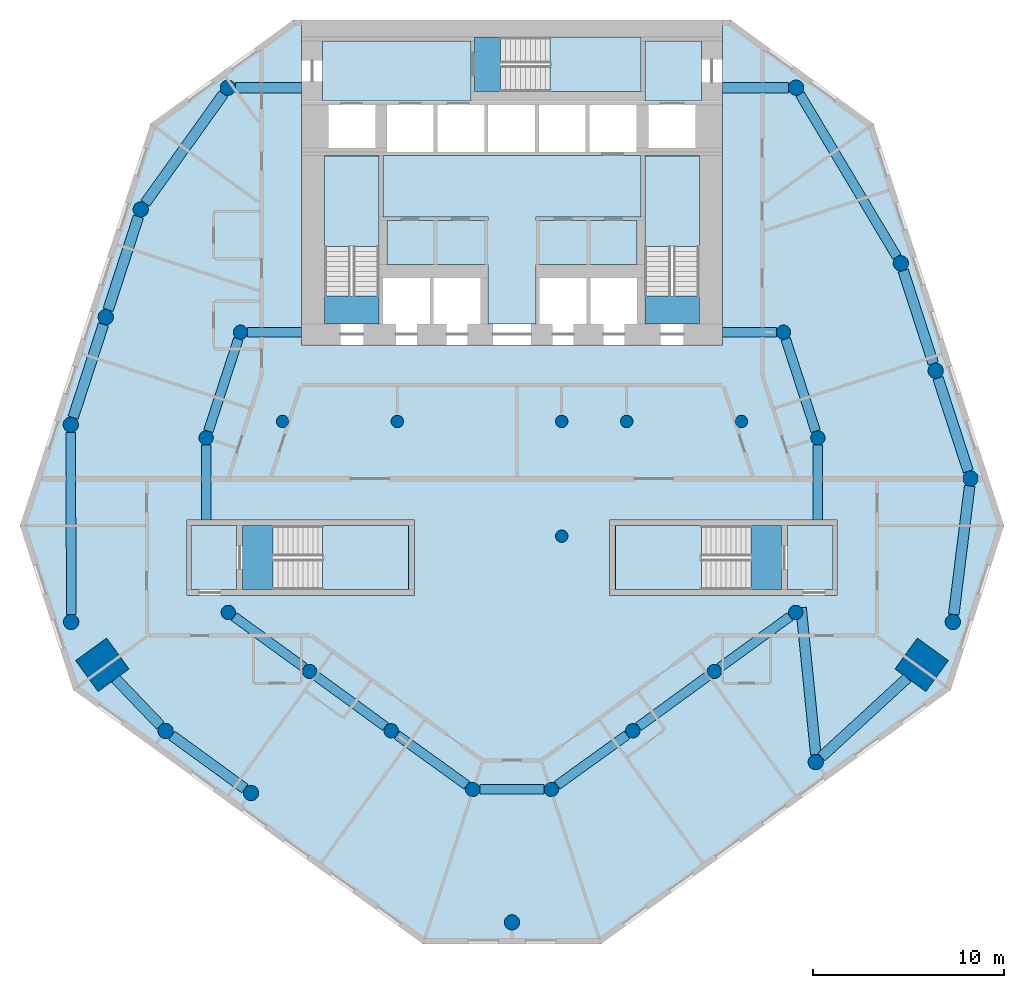
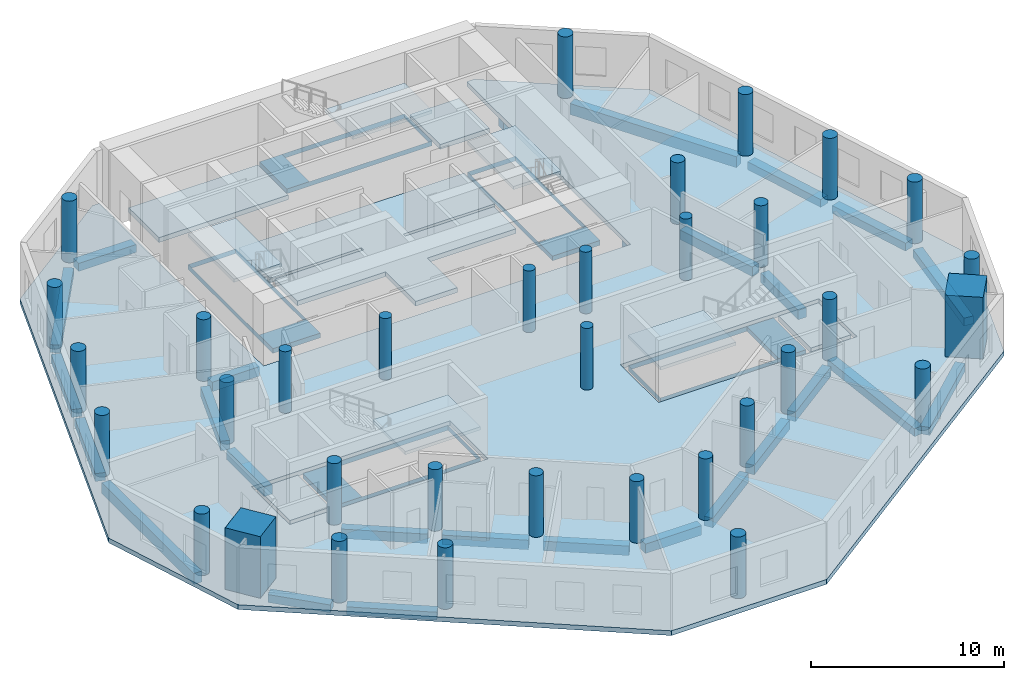
# One storey, part 1 of 9: 34 columns, 27 beams, 16 slabs, 5 elements without a shape of their own.
"""IFC4 building model written with IfcOpenShell, lengths in metres."""

import ifcopenshell
import ifcopenshell.guid

model = None  # the IFC model being written
_history = None  # IfcOwnerHistory: only IFC2X3 demands one
_inside = {}  # id of a spatial element -> (the spatial element, [elements in it])
_under = {}  # id of a project, library or spatial element -> (it, [spatial elements below it])
_declared = {}  # id of a project -> (the project, [libraries it declares])
_typed = {}  # id of a type object -> (the type object, [elements of that type])
_made_of = {}  # id of a material, layer set ... -> (it, [elements and type objects made of it])


def new_model(schema):
    """Start an empty IFC model of exactly this schema.

    Asked for "IFC4X3", IfcOpenShell would pick the latest addendum, in which some entities
    have other attributes; the version numbers below select the first issue.
    IFC2X3 requires an IfcOwnerHistory on every rooted entity: one is made here for all.
    """
    global model, _history
    if schema == "IFC4X3":
        model = ifcopenshell.file(schema_version=(4, 3, 0, 0))
    else:
        model = ifcopenshell.file(schema=schema)
    _inside.clear()
    _under.clear()
    _declared.clear()
    _typed.clear()
    _made_of.clear()
    _history = None
    if model.schema == "IFC2X3":
        org = make("IfcOrganization", Name="unknown")
        user = make(
            "IfcPersonAndOrganization",
            ThePerson=make("IfcPerson", FamilyName="unknown"),
            TheOrganization=org,
        )
        app = make(
            "IfcApplication",
            ApplicationDeveloper=org,
            Version="unknown",
            ApplicationFullName="unknown",
            ApplicationIdentifier="unknown",
        )
        _history = make(
            "IfcOwnerHistory",
            OwningUser=user,
            OwningApplication=app,
            ChangeAction="ADDED",
            CreationDate=0,
        )
    return model


def make(cls, **values):
    """One entity of the class cls with the attributes given. An attribute that is None is left unset."""
    return model.create_entity(
        cls, **{name: value for name, value in values.items() if value is not None}
    )


def rooted(cls, **values):
    """An entity with a GlobalId (a new one), such as an element, a storey or a relation."""
    return make(cls, GlobalId=ifcopenshell.guid.new(), OwnerHistory=_history, **values)


def si_unit(unit_type, name, prefix=None):
    """IfcSIUnit, for example si_unit("LENGTHUNIT", "METRE", prefix="MILLI")."""
    return make("IfcSIUnit", UnitType=unit_type, Prefix=prefix, Name=name)


def assignment(units):
    """IfcUnitAssignment: the units of a project."""
    return None if units is None else make("IfcUnitAssignment", Units=units)


def point(xyz):
    """IfcCartesianPoint."""
    return None if xyz is None else make("IfcCartesianPoint", Coordinates=xyz)


def direction(xyz):
    """IfcDirection."""
    return None if xyz is None else make("IfcDirection", DirectionRatios=xyz)


def frame(location, z_axis=None, x_axis=None):
    """IfcAxis2Placement3D, a coordinate frame: its origin and axes. An axis left out is left unset."""
    return make(
        "IfcAxis2Placement3D",
        Location=point(location),
        Axis=direction(z_axis),
        RefDirection=direction(x_axis),
    )


def frame_2d(location, x_axis=None):
    """IfcAxis2Placement2D, a coordinate frame in the plane: its origin and x axis."""
    return make(
        "IfcAxis2Placement2D", Location=point(location), RefDirection=direction(x_axis)
    )


def origin():
    """The frame at (0, 0, 0) with its axes left unset."""
    return frame((0.0, 0.0, 0.0))


def origin_2d():
    """The frame at (0, 0) in the plane with its x axis left unset."""
    return frame_2d((0.0, 0.0))


def place(relative_to, where):
    """IfcLocalPlacement: puts the frame where relative to a parent placement (None: the world)."""
    return make(
        "IfcLocalPlacement", PlacementRelTo=relative_to, RelativePlacement=where
    )


def context(
    kind, dimensions, precision=None, world=None, true_north=None, identifier=None
):
    """IfcGeometricRepresentationContext, for example the 3D "Model" context."""
    return make(
        "IfcGeometricRepresentationContext",
        ContextIdentifier=identifier,
        ContextType=kind,
        CoordinateSpaceDimension=dimensions,
        Precision=precision,
        WorldCoordinateSystem=world,
        TrueNorth=true_north,
    )


def subcontext(parent, identifier, kind, view, scale=None):
    """IfcGeometricRepresentationSubContext, for example "Body" below "Model"."""
    return make(
        "IfcGeometricRepresentationSubContext",
        ContextIdentifier=identifier,
        ContextType=kind,
        ParentContext=parent,
        TargetScale=scale,
        TargetView=view,
    )


def project(units=None, contexts=None):
    """IfcProject with its units and contexts."""
    return rooted(
        "IfcProject",
        Name="project",
        RepresentationContexts=contexts,
        UnitsInContext=assignment(units),
    )


def spatial(cls, under=None, at=None, **own):
    """A site, building, storey or space (cls), placed at a placement, below another one or the project."""
    s = rooted(cls, ObjectPlacement=at, **own)
    if under is not None:
        _under.setdefault(under.id(), (under, []))[1].append(s)
    return s


def polyline(points):
    """IfcPolyline through the points."""
    return make("IfcPolyline", Points=[point(p) for p in points])


def profile(cls, at=None, kind="AREA", **sizes):
    """A parametric profile (cls). Its sizes go by their IFC names, for example OverallWidth=200.0."""
    return make(cls, ProfileType=kind, Position=at, **sizes)


def rectangle(**sizes):
    """IfcRectangleProfileDef."""
    return profile("IfcRectangleProfileDef", **sizes)


def circle(**sizes):
    """IfcCircleProfileDef."""
    return profile("IfcCircleProfileDef", **sizes)


def outline(outer, holes=None, kind="AREA"):
    """IfcArbitraryClosedProfileDef: a profile drawn as a closed curve; with holes, ...WithVoids."""
    if holes is None:
        return make("IfcArbitraryClosedProfileDef", ProfileType=kind, OuterCurve=outer)
    return make(
        "IfcArbitraryProfileDefWithVoids",
        ProfileType=kind,
        OuterCurve=outer,
        InnerCurves=holes,
    )


def extrude(swept, where, along, depth):
    """IfcExtrudedAreaSolid: the profile swept, set in the frame where, extruded along a direction by depth."""
    return make(
        "IfcExtrudedAreaSolid",
        SweptArea=swept,
        Position=where,
        ExtrudedDirection=direction(along),
        Depth=depth,
    )


def shape(context_of_items, identifier, shape_type, items):
    """IfcShapeRepresentation: the items that make up one representation, for example the "Body"."""
    return make(
        "IfcShapeRepresentation",
        ContextOfItems=context_of_items,
        RepresentationIdentifier=identifier,
        RepresentationType=shape_type,
        Items=items,
    )


def material(Name=None, Category=None):
    """IfcMaterial."""
    return make("IfcMaterial", Name=Name, Category=Category)


def layer(
    of_material, thickness, ventilated=None, Name=None, Category=None, Priority=None
):
    """IfcMaterialLayer: one layer of a wall or slab, of a material (None: an air gap)."""
    return make(
        "IfcMaterialLayer",
        Material=of_material,
        LayerThickness=thickness,
        IsVentilated=ventilated,
        Name=Name,
        Category=Category,
        Priority=Priority,
    )


def layer_set(layers, Name=None):
    """IfcMaterialLayerSet."""
    return make("IfcMaterialLayerSet", MaterialLayers=layers, LayerSetName=Name)


def material_profile(
    of_material, cross_section, Name=None, Category=None, Priority=None
):
    """IfcMaterialProfile: a cross section and its material."""
    return make(
        "IfcMaterialProfile",
        Name=Name,
        Material=of_material,
        Profile=cross_section,
        Priority=Priority,
        Category=Category,
    )


def profile_set(profiles, Name=None, composite=None):
    """IfcMaterialProfileSet."""
    return make(
        "IfcMaterialProfileSet",
        Name=Name,
        MaterialProfiles=profiles,
        CompositeProfile=composite,
    )


def made_of(thing, what):
    """Note that an element or type object is made of a material, layer set ...; save() writes the relation."""
    if what is not None:
        _made_of.setdefault(what.id(), (what, []))[1].append(thing)
    return thing


def type_object(cls, material=None, **own):
    """A type object (cls), such as IfcWallType, which elements share."""
    return made_of(rooted(cls, **own), material)


def element(
    cls,
    number,
    at=None,
    inside=None,
    cuts=None,
    type_object=None,
    material=None,
    context=None,
    identifier="Body",
    shape_type=None,
    held_by="IfcProductDefinitionShape",
    body=None,
    shapes=None,
    **own,
):
    """One element of the class cls, such as IfcWall. Its Tag is "e" and its number.

    at: its placement. inside: the storey or other place that contains it. cuts: it is an
    opening in that element (IfcRelVoidsElement). A single representation is given by context,
    identifier, shape_type and body (its items); several are given by shapes. held_by: the class
    of the entity that holds the representations. save() writes the other relations.
    """
    e = rooted(cls, Tag="e%d" % number, ObjectPlacement=at, **own)
    if body is not None:
        shapes = [shape(context, identifier, shape_type, body)]
    if shapes is not None:
        e.Representation = make(held_by, Representations=shapes)
    if inside is not None:
        _inside.setdefault(inside.id(), (inside, []))[1].append(e)
    if cuts is not None:
        rooted(
            "IfcRelVoidsElement", RelatingBuildingElement=cuts, RelatedOpeningElement=e
        )
    if type_object is not None:
        _typed.setdefault(type_object.id(), (type_object, []))[1].append(e)
    return made_of(e, material)


def aggregate(whole, parts):
    """IfcRelAggregates: a whole, such as a stair, and the parts it consists of."""
    return rooted("IfcRelAggregates", RelatingObject=whole, RelatedObjects=parts)


def save(model, path):
    """Write the relations noted so far, then the file.

    IfcRelAggregates (storeys below a building ...), IfcRelContainedInSpatialStructure (elements
    in a storey), IfcRelDefinesByType, IfcRelAssociatesMaterial and IfcRelDeclares: one each for
    every whole, place, type object, material and project.
    """
    for whole, parts in _under.values():
        aggregate(whole, parts)
    for where, things in _inside.values():
        rooted(
            "IfcRelContainedInSpatialStructure",
            RelatedElements=things,
            RelatingStructure=where,
        )
    for kind, things in _typed.values():
        rooted("IfcRelDefinesByType", RelatedObjects=things, RelatingType=kind)
    for what, things in _made_of.values():
        rooted("IfcRelAssociatesMaterial", RelatedObjects=things, RelatingMaterial=what)
    for by, libraries in _declared.values():
        rooted("IfcRelDeclares", RelatingContext=by, RelatedDefinitions=libraries)
    model.write(path)


model = new_model("IFC4")

# Units and contexts
model_context = context("Model", 3, precision=1e-05, world=origin(), true_north=direction((0.0, 1.0)))
body_context = subcontext(model_context, "Body", "Model", "MODEL_VIEW")
ifc_project = project(units=[si_unit("LENGTHUNIT", "METRE"), si_unit("AREAUNIT", "SQUARE_METRE"), si_unit("VOLUMEUNIT", "CUBIC_METRE"), si_unit("PLANEANGLEUNIT", "RADIAN"), si_unit("MASSUNIT", "GRAM", prefix="KILO")], contexts=[model_context])

# Site, building, storey
site_placement = place(None, origin())
site = spatial("IfcSite", under=ifc_project, at=site_placement, CompositionType="ELEMENT")
building_placement = place(site_placement, origin())
building = spatial("IfcBuilding", under=site, at=building_placement, Name="White Candle Pilgrim Tower", CompositionType="ELEMENT")
storey_placement = place(building_placement, frame((0.0, 0.0, 122.0)))
storey = spatial("IfcBuildingStorey", under=building, at=storey_placement, Name="L27", CompositionType="ELEMENT", Elevation=122.0)

# Columns
ifc_material_1 = material(Name="Concrete C80/95", Category="concrete")
ifc_material_profile_1 = material_profile(ifc_material_1, circle(Radius=0.324951171875, at=origin_2d()), Name="RC-COL D650")
ifc_profile_set_1 = profile_set([ifc_material_profile_1], Name="Concrete C80/95")
column_type_1 = type_object("IfcColumnType", Name="Interior column RC-COL D650 C80/95", PredefinedType="COLUMN", material=ifc_profile_set_1)
for number, where, z_axis, x_axis, name in (
    (1, (58.0, 67.0, 0.0), (0.0, 0.0, 1.0), (1.0, 0.0, 0.0), "L27 column I01"),
    (2, (64.0, 67.0, 0.0), (0.0, 0.0, 1.0), (1.0, 0.0, 0.0), "L27 column I02"),
    (3, (72.60009765625, 61.0, 0.0), (0.0, 0.0, 1.0), (1.0, 0.0, 0.0), "L27 column I03"),
    (4, (72.60009765625, 67.0, 0.0), (0.0, 0.0, 1.0), (1.0, 0.0, 0.0), "L27 column I04"),
    (5, (76.0, 67.0, 0.0), (0.0, 0.0, 1.0), (1.0, 0.0, 0.0), "L27 column I05"),
    (6, (82.0, 67.0, 0.0), (0.0, 0.0, 1.0), (1.0, 0.0, 0.0), "L27 column I06"),
):
    element("IfcColumn", number, at=place(storey_placement, frame(where, z_axis=z_axis, x_axis=x_axis)), inside=storey, type_object=column_type_1, Name=name, PredefinedType="COLUMN", context=body_context, shape_type="SweptSolid", body=[
        extrude(circle(Radius=0.324951171875, at=origin_2d()), origin(), (0.0, 0.0, 1.0), 3.89990234375),
    ])
ifc_material_profile_2 = material_profile(ifc_material_1, rectangle(XDim=2.0, YDim=2.0, at=origin_2d()), Name="RC 2000x2000")
ifc_profile_set_2 = profile_set([ifc_material_profile_2], Name="Concrete C80/95")
column_type_2 = type_object("IfcColumnType", Name="Mega column RC 2000x2000 C80/95", PredefinedType="COLUMN", material=ifc_profile_set_2)
for number, where, z_axis, x_axis, name in (
    (7, (48.570068359375, 54.27001953125, 0.0), (0.0, 0.0, 1.0), (-0.809016994375, -0.587785252292, 0.0), "L27 mega column T02"),
    (8, (91.429931640625, 54.27001953125, 0.0), (0.0, 0.0, 1.0), (0.809016994375, -0.587785252292, 0.0), "L27 mega column T07"),
):
    element("IfcColumn", number, at=place(storey_placement, frame(where, z_axis=z_axis, x_axis=x_axis)), inside=storey, type_object=column_type_2, Name=name, PredefinedType="COLUMN", context=body_context, shape_type="SweptSolid", body=[
        extrude(rectangle(XDim=2.0, YDim=2.0, at=origin_2d()), origin(), (0.0, 0.0, 1.0), 3.89990234375),
    ])
ifc_material_profile_3 = material_profile(ifc_material_1, circle(Radius=0.39990234375, at=origin_2d()), Name="RC-COL D800")
ifc_profile_set_3 = profile_set([ifc_material_profile_3], Name="Concrete C80/95")
column_type_3 = type_object("IfcColumnType", Name="Perimeter column RC-COL D800 C80/95", PredefinedType="COLUMN", material=ifc_profile_set_3)
for number, where, z_axis, x_axis, name in (
    (9, (46.93994140625, 56.510009765625, 0.0), (0.0, 0.0, 1.0), (1.0, 0.0, 0.0), "L27 column T01"),
    (10, (51.8798828125, 50.81005859375, 0.0), (0.0, 0.0, 1.0), (1.0, 0.0, 0.0), "L27 column T03"),
    (11, (56.35009765625, 47.56005859375, 0.0), (0.0, 0.0, 1.0), (1.0, 0.0, 0.0), "L27 column T04"),
    (12, (70.0, 40.800048828125, 0.0), (0.0, 0.0, 1.0), (1.0, 0.0, 0.0), "L27 column T05"),
    (13, (85.889892578125, 49.179931640625, 0.0), (0.0, 0.0, 1.0), (1.0, 0.0, 0.0), "L27 column T06"),
    (14, (93.06005859375, 56.510009765625, 0.0), (0.0, 0.0, 1.0), (1.0, 0.0, 0.0), "L27 column T08"),
    (15, (93.989990234375, 64.02001953125, 0.0), (0.0, 0.0, 1.0), (1.0, 0.0, 0.0), "L27 column T09"),
    (16, (92.159912109375, 69.64990234375, 0.0), (0.0, 0.0, 1.0), (1.0, 0.0, 0.0), "L27 column T10"),
    (17, (90.340087890625, 75.27001953125, 0.0), (0.0, 0.0, 1.0), (1.0, 0.0, 0.0), "L27 column T11"),
    (18, (84.860107421875, 84.4599609375, 0.0), (0.0, 0.0, 1.0), (1.0, 0.0, 0.0), "L27 column T12"),
    (19, (55.139892578125, 84.4599609375, 0.0), (0.0, 0.0, 1.0), (1.0, 0.0, 0.0), "L27 column T13"),
    (20, (50.580078125, 78.090087890625, 0.0), (0.0, 0.0, 1.0), (1.0, 0.0, 0.0), "L27 column T14"),
    (21, (48.75, 72.4599609375, 0.0), (0.0, 0.0, 1.0), (1.0, 0.0, 0.0), "L27 column T15"),
    (22, (46.919921875, 66.830078125, 0.0), (0.0, 0.0, 1.0), (1.0, 0.0, 0.0), "L27 column T16"),
):
    element("IfcColumn", number, at=place(storey_placement, frame(where, z_axis=z_axis, x_axis=x_axis)), inside=storey, type_object=column_type_3, Name=name, PredefinedType="COLUMN", context=body_context, shape_type="SweptSolid", body=[
        extrude(circle(Radius=0.39990234375, at=origin_2d()), origin(), (0.0, 0.0, 1.0), 3.89990234375),
    ])
ifc_material_profile_4 = material_profile(ifc_material_1, circle(Radius=0.375, at=origin_2d()), Name="RC-COL D750")
ifc_profile_set_4 = profile_set([ifc_material_profile_4], Name="Concrete C80/95")
column_type_4 = type_object("IfcColumnType", Name="Ring column RC-COL D750 C80/95", PredefinedType="COLUMN", material=ifc_profile_set_4)
for number, where, z_axis, x_axis, name in (
    (23, (55.159912109375, 57.010009765625, 0.0), (0.0, 0.0, 1.0), (1.0, 0.0, 0.0), "L27 column R01"),
    (24, (59.419921875, 53.919921875, 0.0), (0.0, 0.0, 1.0), (1.0, 0.0, 0.0), "L27 column R02"),
    (25, (63.679931640625, 50.820068359375, 0.0), (0.0, 0.0, 1.0), (1.0, 0.0, 0.0), "L27 column R03"),
    (26, (67.93994140625, 47.75, 0.0), (0.0, 0.0, 1.0), (1.0, 0.0, 0.0), "L27 column R04"),
    (27, (72.06005859375, 47.75, 0.0), (0.0, 0.0, 1.0), (1.0, 0.0, 0.0), "L27 column R05"),
    (28, (76.320068359375, 50.820068359375, 0.0), (0.0, 0.0, 1.0), (1.0, 0.0, 0.0), "L27 column R06"),
    (29, (80.580078125, 53.919921875, 0.0), (0.0, 0.0, 1.0), (1.0, 0.0, 0.0), "L27 column R07"),
    (30, (84.840087890625, 57.010009765625, 0.0), (0.0, 0.0, 1.0), (1.0, 0.0, 0.0), "L27 column R08"),
    (31, (86.0, 66.139892578125, 0.0), (0.0, 0.0, 1.0), (1.0, 0.0, 0.0), "L27 column R09"),
    (32, (84.199951171875, 71.669921875, 0.0), (0.0, 0.0, 1.0), (1.0, 0.0, 0.0), "L27 column R10"),
    (33, (55.800048828125, 71.669921875, 0.0), (0.0, 0.0, 1.0), (1.0, 0.0, 0.0), "L27 column R11"),
    (34, (54.0, 66.139892578125, 0.0), (0.0, 0.0, 1.0), (1.0, 0.0, 0.0), "L27 column R12"),
):
    element("IfcColumn", number, at=place(storey_placement, frame(where, z_axis=z_axis, x_axis=x_axis)), inside=storey, type_object=column_type_4, Name=name, PredefinedType="COLUMN", context=body_context, shape_type="SweptSolid", body=[
        extrude(circle(Radius=0.375, at=origin_2d()), origin(), (0.0, 0.0, 1.0), 3.89990234375),
    ])

# Beams
ifc_material_2 = material(Name="Concrete C50/60", Category="concrete")
ifc_material_profile_5 = material_profile(ifc_material_2, rectangle(XDim=0.5, YDim=0.60009765625, at=origin_2d()), Name="RC-BM 500x600")
ifc_profile_set_5 = profile_set([ifc_material_profile_5], Name="Concrete C50/60")
beam_type_1 = type_object("IfcBeamType", Name="Ring beam RC-BM 500x600 C50/60", PredefinedType="BEAM", material=ifc_profile_set_5)
beam_1_placement = place(storey_placement, frame((55.46337890625, 56.789794921875, -0.60009765625), z_axis=(0.809505029053, -0.587112943084, 0.0), x_axis=(0.587112943084, 0.809505029053, 0.0)))
element("IfcBeam", 35, at=beam_1_placement, inside=storey, type_object=beam_type_1, Name="L27 ring beam R01", PredefinedType="BEAM", context=body_context, shape_type="SweptSolid", body=[
    extrude(rectangle(XDim=0.5, YDim=0.60009765625, at=origin_2d()), origin(), (0.0, 0.0, 1.0), 4.512939453125),
])
beam_2_placement = place(storey_placement, frame((59.72314453125, 53.699462890625, -0.60009765625), z_axis=(0.808565500751, -0.588406178583, 0.0), x_axis=(0.588406178583, 0.808565500751, 0.0)))
element("IfcBeam", 36, at=beam_2_placement, inside=storey, type_object=beam_type_1, Name="L27 ring beam R02", PredefinedType="BEAM", context=body_context, shape_type="SweptSolid", body=[
    extrude(rectangle(XDim=0.5, YDim=0.60009765625, at=origin_2d()), origin(), (0.0, 0.0, 1.0), 4.518798828125),
])
beam_3_placement = place(storey_placement, frame((63.984130859375, 50.600830078125, -0.60009765625), z_axis=(0.811270905805, -0.584670434856, 0.0), x_axis=(0.584670434856, 0.811270905805, 0.0)))
element("IfcBeam", 37, at=beam_3_placement, inside=storey, type_object=beam_type_1, Name="L27 ring beam R03", PredefinedType="BEAM", context=body_context, shape_type="SweptSolid", body=[
    extrude(rectangle(XDim=0.5, YDim=0.60009765625, at=origin_2d()), origin(), (0.0, 0.0, 1.0), 4.50146484375),
])
beam_4_placement = place(storey_placement, frame((68.31494140625, 47.75, -0.60009765625), z_axis=(1.0, 0.0, 0.0), x_axis=(0.0, 1.0, 0.0)))
element("IfcBeam", 38, at=beam_4_placement, inside=storey, type_object=beam_type_1, Name="L27 ring beam R04", PredefinedType="BEAM", context=body_context, shape_type="SweptSolid", body=[
    extrude(rectangle(XDim=0.5, YDim=0.60009765625, at=origin_2d()), origin(), (0.0, 0.0, 1.0), 3.3701171875),
])
beam_5_placement = place(storey_placement, frame((72.364013671875, 47.968994140625, -0.60009765625), z_axis=(0.811270905805, 0.584670434856, 0.0), x_axis=(-0.584670434856, 0.811270905805, 0.0)))
element("IfcBeam", 39, at=beam_5_placement, inside=storey, type_object=beam_type_1, Name="L27 ring beam R05", PredefinedType="BEAM", context=body_context, shape_type="SweptSolid", body=[
    extrude(rectangle(XDim=0.5, YDim=0.60009765625, at=origin_2d()), origin(), (0.0, 0.0, 1.0), 4.50146484375),
])
beam_6_placement = place(storey_placement, frame((76.623046875, 51.04052734375, -0.60009765625), z_axis=(0.808565500751, 0.588406178583, 0.0), x_axis=(-0.588406178583, 0.808565500751, 0.0)))
element("IfcBeam", 40, at=beam_6_placement, inside=storey, type_object=beam_type_1, Name="L27 ring beam R06", PredefinedType="BEAM", context=body_context, shape_type="SweptSolid", body=[
    extrude(rectangle(XDim=0.5, YDim=0.60009765625, at=origin_2d()), origin(), (0.0, 0.0, 1.0), 4.518798828125),
])
beam_7_placement = place(storey_placement, frame((80.88330078125, 54.14013671875, -0.60009765625), z_axis=(0.809505029053, 0.587112943084, 0.0), x_axis=(-0.587112943084, 0.809505029053, 0.0)))
element("IfcBeam", 41, at=beam_7_placement, inside=storey, type_object=beam_type_1, Name="L27 ring beam R07", PredefinedType="BEAM", context=body_context, shape_type="SweptSolid", body=[
    extrude(rectangle(XDim=0.5, YDim=0.60009765625, at=origin_2d()), origin(), (0.0, 0.0, 1.0), 4.512939453125),
])
beam_8_placement = place(storey_placement, frame((86.0, 65.764892578125, -0.60009765625), z_axis=(0.0, -1.0, 0.0), x_axis=(1.0, 0.0, 0.0)))
element("IfcBeam", 42, at=beam_8_placement, inside=storey, type_object=beam_type_1, Name="L27 ring beam R08", PredefinedType="BEAM", context=body_context, shape_type="SweptSolid", body=[
    extrude(rectangle(XDim=0.5, YDim=0.60009765625, at=origin_2d()), origin(), (0.0, 0.0, 1.0), 3.914794921875),
])
beam_9_placement = place(storey_placement, frame((85.884033203125, 66.49658203125, -0.60009765625), z_axis=(-0.309554632353, 0.950881659087, 0.0), x_axis=(-0.950881659087, -0.309554632353, 0.0)))
element("IfcBeam", 43, at=beam_9_placement, inside=storey, type_object=beam_type_1, Name="L27 ring beam R09", PredefinedType="BEAM", context=body_context, shape_type="SweptSolid", body=[
    extrude(rectangle(XDim=0.5, YDim=0.60009765625, at=origin_2d()), origin(), (0.0, 0.0, 1.0), 5.065673828125),
])
for number, where, z_axis, x_axis, name in (
    (44, (83.824951171875, 71.669921875, -0.60009765625), (-1.0, 0.0, 0.0), (0.0, -1.0, 0.0), "L27 ring beam R10"),
    (45, (56.175048828125, 71.669921875, -0.60009765625), (1.0, 0.0, 0.0), (0.0, 1.0, 0.0), "L27 ring beam R11"),
):
    element("IfcBeam", number, at=place(storey_placement, frame(where, z_axis=z_axis, x_axis=x_axis)), inside=storey, type_object=beam_type_1, Name=name, PredefinedType="BEAM", context=body_context, shape_type="SweptSolid", body=[
        extrude(rectangle(XDim=0.5, YDim=0.60009765625, at=origin_2d()), origin(), (0.0, 0.0, 1.0), 2.824951171875),
    ])
beam_10_placement = place(storey_placement, frame((55.68408203125, 71.3134765625, -0.60009765625), z_axis=(-0.309554632353, -0.950881659087, 0.0), x_axis=(0.950881659087, -0.309554632353, 0.0)))
element("IfcBeam", 46, at=beam_10_placement, inside=storey, type_object=beam_type_1, Name="L27 ring beam R12", PredefinedType="BEAM", context=body_context, shape_type="SweptSolid", body=[
    extrude(rectangle(XDim=0.5, YDim=0.60009765625, at=origin_2d()), origin(), (0.0, 0.0, 1.0), 5.065673828125),
])
beam_11_placement = place(storey_placement, frame((54.0, 65.764892578125, -0.60009765625), z_axis=(0.0, -1.0, 0.0), x_axis=(1.0, 0.0, 0.0)))
element("IfcBeam", 47, at=beam_11_placement, inside=storey, type_object=beam_type_1, Name="L27 ring beam R13", PredefinedType="BEAM", context=body_context, shape_type="SweptSolid", body=[
    extrude(rectangle(XDim=0.5, YDim=0.60009765625, at=origin_2d()), origin(), (0.0, 0.0, 1.0), 3.914794921875),
])
ifc_material_profile_6 = material_profile(ifc_material_2, rectangle(XDim=0.5, YDim=0.699951171875, at=origin_2d()), Name="RC-BM 500x700")
ifc_profile_set_6 = profile_set([ifc_material_profile_6], Name="Concrete C50/60")
beam_type_2 = type_object("IfcBeamType", Name="Spandrel beam RC-BM 500x700 C50/60", PredefinedType="BEAM", material=ifc_profile_set_6)
beam_12_placement = place(storey_placement, frame((90.13525390625, 75.61328125, -0.64990234375), z_axis=(-0.51215480768, 0.858893155736, 0.0), x_axis=(-0.858893155736, -0.51215480768, 0.0)))
element("IfcBeam", 48, at=beam_12_placement, inside=storey, type_object=beam_type_2, Name="L27 spandrel beam T08", PredefinedType="BEAM", context=body_context, shape_type="SweptSolid", body=[
    extrude(rectangle(XDim=0.5, YDim=0.699951171875, at=origin_2d()), origin(), (0.0, 0.0, 1.0), 9.900390625),
])
beam_13_placement = place(storey_placement, frame((46.9208984375, 66.429931640625, -0.64990234375), z_axis=(0.001923369269, -0.999998150324, 0.0), x_axis=(0.999998150324, 0.001923369269, 0.0)))
element("IfcBeam", 49, at=beam_13_placement, inside=storey, type_object=beam_type_2, Name="L27 spandrel beam T14", PredefinedType="BEAM", context=body_context, shape_type="SweptSolid", body=[
    extrude(rectangle(XDim=0.5, YDim=0.699951171875, at=origin_2d()), origin(), (0.0, 0.0, 1.0), 9.52001953125),
])
ifc_material_profile_7 = material_profile(ifc_material_2, rectangle(XDim=0.550048828125, YDim=0.5, at=origin_2d()), Name="RC-BM 550x500")
ifc_profile_set_7 = profile_set([ifc_material_profile_7], Name="Concrete C50/60")
beam_type_3 = type_object("IfcBeamType", Name="Spandrel beam RC-BM 550x500 C50/60", PredefinedType="BEAM", material=ifc_profile_set_7)
beam_14_placement = place(storey_placement, frame((49.267578125, 53.540771484375, -0.550048828125), z_axis=(0.6912554522, -0.722610475847, 0.0), x_axis=(0.722610475847, 0.6912554522, 0.0)))
element("IfcBeam", 50, at=beam_14_placement, inside=storey, type_object=beam_type_3, Name="L27 spandrel beam T01", PredefinedType="BEAM", context=body_context, shape_type="SweptSolid", body=[
    extrude(rectangle(XDim=0.550048828125, YDim=0.5, at=origin_2d()), origin(), (0.0, 0.0, 1.0), 3.379150390625),
])
beam_15_placement = place(storey_placement, frame((52.203369140625, 50.574951171875, -0.550048828125), z_axis=(0.808812014489, -0.5880672795, 0.0), x_axis=(0.5880672795, 0.808812014489, 0.0)))
element("IfcBeam", 51, at=beam_15_placement, inside=storey, type_object=beam_type_3, Name="L27 spandrel beam T02", PredefinedType="BEAM", context=body_context, shape_type="SweptSolid", body=[
    extrude(rectangle(XDim=0.550048828125, YDim=0.5, at=origin_2d()), origin(), (0.0, 0.0, 1.0), 4.72705078125),
])
beam_16_placement = place(storey_placement, frame((85.889892578125, 49.580078125, -0.550048828125), z_axis=(-0.099547579937, 0.995032803142, 0.0), x_axis=(-0.995032803142, -0.099547579937, 0.0)))
element("IfcBeam", 52, at=beam_16_placement, inside=storey, type_object=beam_type_3, Name="L27 spandrel beam T03", PredefinedType="BEAM", context=body_context, shape_type="SweptSolid", body=[
    extrude(rectangle(XDim=0.550048828125, YDim=0.5, at=origin_2d()), origin(), (0.0, 0.0, 1.0), 7.715576171875),
])
beam_17_placement = place(storey_placement, frame((86.184326171875, 49.450439453125, -0.550048828125), z_axis=(0.736374917929, 0.67657370644, 0.0), x_axis=(-0.67657370644, 0.736374917929, 0.0)))
element("IfcBeam", 53, at=beam_17_placement, inside=storey, type_object=beam_type_3, Name="L27 spandrel beam T04", PredefinedType="BEAM", context=body_context, shape_type="SweptSolid", body=[
    extrude(rectangle(XDim=0.550048828125, YDim=0.5, at=origin_2d()), origin(), (0.0, 0.0, 1.0), 6.103271484375),
])
beam_18_placement = place(storey_placement, frame((93.109130859375, 56.906982421875, -0.550048828125), z_axis=(0.122911300598, 0.992417660154, 0.0), x_axis=(-0.992417660154, 0.122911300598, 0.0)))
element("IfcBeam", 54, at=beam_18_placement, inside=storey, type_object=beam_type_3, Name="L27 spandrel beam T05", PredefinedType="BEAM", context=body_context, shape_type="SweptSolid", body=[
    extrude(rectangle(XDim=0.550048828125, YDim=0.5, at=origin_2d()), origin(), (0.0, 0.0, 1.0), 6.767333984375),
])
beam_19_placement = place(storey_placement, frame((93.866455078125, 64.400390625, -0.550048828125), z_axis=(-0.309123808161, 0.95102180376, 0.0), x_axis=(-0.95102180376, -0.309123808161, 0.0)))
element("IfcBeam", 55, at=beam_19_placement, inside=storey, type_object=beam_type_3, Name="L27 spandrel beam T06", PredefinedType="BEAM", context=body_context, shape_type="SweptSolid", body=[
    extrude(rectangle(XDim=0.550048828125, YDim=0.5, at=origin_2d()), origin(), (0.0, 0.0, 1.0), 5.1201171875),
])
beam_20_placement = place(storey_placement, frame((92.036865234375, 70.030517578125, -0.550048828125), z_axis=(-0.308114253226, 0.951349361149, 0.0), x_axis=(-0.951349361149, -0.308114253226, 0.0)))
element("IfcBeam", 56, at=beam_20_placement, inside=storey, type_object=beam_type_3, Name="L27 spandrel beam T07", PredefinedType="BEAM", context=body_context, shape_type="SweptSolid", body=[
    extrude(rectangle(XDim=0.550048828125, YDim=0.5, at=origin_2d()), origin(), (0.0, 0.0, 1.0), 5.107666015625),
])
for number, where, z_axis, x_axis, name in (
    (57, (84.4599609375, 84.4599609375, -0.550048828125), (-1.0, 0.0, 0.0), (0.0, -1.0, 0.0), "L27 spandrel beam T09"),
    (58, (55.5400390625, 84.4599609375, -0.550048828125), (1.0, 0.0, 0.0), (0.0, 1.0, 0.0), "L27 spandrel beam T10"),
):
    element("IfcBeam", number, at=place(storey_placement, frame(where, z_axis=z_axis, x_axis=x_axis)), inside=storey, type_object=beam_type_3, Name=name, PredefinedType="BEAM", context=body_context, shape_type="SweptSolid", body=[
        extrude(rectangle(XDim=0.550048828125, YDim=0.5, at=origin_2d()), origin(), (0.0, 0.0, 1.0), 3.4599609375),
    ])
beam_21_placement = place(storey_placement, frame((54.9072265625, 84.135009765625, -0.550048828125), z_axis=(-0.582065224797, -0.813142099563, 0.0), x_axis=(0.813142099563, -0.582065224797, 0.0)))
element("IfcBeam", 59, at=beam_21_placement, inside=storey, type_object=beam_type_3, Name="L27 spandrel beam T11", PredefinedType="BEAM", context=body_context, shape_type="SweptSolid", body=[
    extrude(rectangle(XDim=0.550048828125, YDim=0.5, at=origin_2d()), origin(), (0.0, 0.0, 1.0), 7.034423828125),
])
for number, where, z_axis, x_axis, name in (
    (60, (50.456298828125, 77.709716796875, -0.550048828125), (-0.309123808161, -0.95102180376, 0.0), (0.95102180376, -0.309123808161, 0.0), "L27 spandrel beam T12"),
    (61, (48.62646484375, 72.07958984375, -0.550048828125), (-0.309123808161, -0.95102180376, 0.0), (0.95102180376, -0.309123808161, 0.0), "L27 spandrel beam T13"),
):
    element("IfcBeam", number, at=place(storey_placement, frame(where, z_axis=z_axis, x_axis=x_axis)), inside=storey, type_object=beam_type_3, Name=name, PredefinedType="BEAM", context=body_context, shape_type="SweptSolid", body=[
        extrude(rectangle(XDim=0.550048828125, YDim=0.5, at=origin_2d()), origin(), (0.0, 0.0, 1.0), 5.1201171875),
    ])

# Slabs
ifc_material_3 = material(Name="Concrete C40/50", Category="concrete")
ifc_layer_1 = layer(ifc_material_3, 0.300048828125)
ifc_layer_set_1 = layer_set([ifc_layer_1], Name="Core floor slab 300 mm Concrete C40/50")
slab_type_1 = type_object("IfcSlabType", Name="Core floor slab 300 mm Concrete C40/50", PredefinedType="FLOOR", material=ifc_layer_set_1)
slab_1_placement = place(storey_placement, frame((0.0, 0.0, -0.300048828125)))
element("IfcSlab", 62, at=slab_1_placement, inside=storey, type_object=slab_type_1, Name="CF-L27-01", PredefinedType="FLOOR", context=body_context, shape_type="SweptSolid", body=[
    extrude(outline(polyline([(55.60009765625, 58.199951171875), (53.199951171875, 58.199951171875), (53.199951171875, 61.550048828125), (55.60009765625, 61.550048828125), (55.60009765625, 58.199951171875)])), origin(), (0.0, 0.0, 1.0), 0.300048828125),
])
slab_2_placement = place(storey_placement, frame((0.0, 0.0, -0.300048828125)))
element("IfcSlab", 63, at=slab_2_placement, inside=storey, type_object=slab_type_1, Name="CF-L27-02", PredefinedType="FLOOR", context=body_context, shape_type="SweptSolid", body=[
    extrude(outline(polyline([(55.89990234375, 58.199951171875), (55.89990234375, 61.550048828125), (64.60009765625, 61.550048828125), (64.60009765625, 58.199951171875), (55.89990234375, 58.199951171875)]), holes=[polyline([(57.501953125, 61.548095703125), (57.501953125, 58.201904296875), (64.597900390625, 58.201904296875), (64.597900390625, 61.548095703125), (57.501953125, 61.548095703125)])]), origin(), (0.0, 0.0, 1.0), 0.300048828125),
])
slab_3_placement = place(storey_placement, frame((0.0, 0.0, -0.300048828125)))
element("IfcSlab", 64, at=slab_3_placement, inside=storey, type_object=slab_type_1, Name="CF-L27-03", PredefinedType="FLOOR", context=body_context, shape_type="SweptSolid", body=[
    extrude(outline(polyline([(75.39990234375, 58.199951171875), (75.39990234375, 61.550048828125), (84.10009765625, 61.550048828125), (84.10009765625, 58.199951171875), (75.39990234375, 58.199951171875)]), holes=[polyline([(82.498046875, 58.201904296875), (82.498046875, 61.548095703125), (75.402099609375, 61.548095703125), (75.402099609375, 58.201904296875), (82.498046875, 58.201904296875)])]), origin(), (0.0, 0.0, 1.0), 0.300048828125),
])
slab_4_placement = place(storey_placement, frame((0.0, 0.0, -0.300048828125)))
element("IfcSlab", 65, at=slab_4_placement, inside=storey, type_object=slab_type_1, Name="CF-L27-04", PredefinedType="FLOOR", context=body_context, shape_type="SweptSolid", body=[
    extrude(outline(polyline([(86.800048828125, 58.199951171875), (84.39990234375, 58.199951171875), (84.39990234375, 61.550048828125), (86.800048828125, 61.550048828125), (86.800048828125, 58.199951171875)])), origin(), (0.0, 0.0, 1.0), 0.300048828125),
])
slab_5_placement = place(storey_placement, frame((0.0, 0.0, -0.300048828125)))
element("IfcSlab", 66, at=slab_5_placement, inside=storey, type_object=slab_type_1, Name="CF-L27-05", PredefinedType="FLOOR", context=body_context, shape_type="SweptSolid", body=[
    extrude(outline(polyline([(76.75, 87.10009765625), (76.75, 86.89990234375), (76.75, 84.25), (68.050048828125, 84.25), (68.050048828125, 86.89990234375), (68.050048828125, 87.10009765625), (76.75, 87.10009765625)]), holes=[polyline([(69.402099609375, 87.097900390625), (69.402099609375, 84.251953125), (76.748046875, 84.251953125), (76.748046875, 87.097900390625), (69.402099609375, 87.097900390625)])]), origin(), (0.0, 0.0, 1.0), 0.300048828125),
])
slab_6_placement = place(storey_placement, frame((0.0, 0.0, -0.300048828125)))
element("IfcSlab", 67, at=slab_6_placement, inside=storey, type_object=slab_type_1, Name="CF-L27-06", PredefinedType="FLOOR", context=body_context, shape_type="SweptSolid", body=[
    extrude(outline(polyline([(79.89990234375, 86.89990234375), (79.89990234375, 83.75), (76.949951171875, 83.75), (76.949951171875, 84.25), (76.949951171875, 86.89990234375), (79.89990234375, 86.89990234375)])), origin(), (0.0, 0.0, 1.0), 0.300048828125),
])
slab_7_placement = place(storey_placement, frame((0.0, 0.0, -0.300048828125)))
element("IfcSlab", 68, at=slab_7_placement, inside=storey, type_object=slab_type_1, Name="CF-L27-07", PredefinedType="FLOOR", context=body_context, shape_type="SweptSolid", body=[
    extrude(outline(polyline([(76.949951171875, 72.10009765625), (76.949951171875, 74.5), (76.949951171875, 75.199951171875), (76.949951171875, 77.5), (76.949951171875, 77.699951171875), (76.949951171875, 80.89990234375), (79.800048828125, 80.89990234375), (79.800048828125, 72.10009765625), (76.949951171875, 72.10009765625)]), holes=[polyline([(76.951904296875, 73.552001953125), (79.798095703125, 73.552001953125), (79.798095703125, 80.89794921875), (76.951904296875, 80.89794921875), (76.951904296875, 73.552001953125)])]), origin(), (0.0, 0.0, 1.0), 0.300048828125),
])
slab_8_placement = place(storey_placement, frame((0.0, 0.0, -0.300048828125)))
element("IfcSlab", 69, at=slab_8_placement, inside=storey, type_object=slab_type_1, Name="CF-L27-08", PredefinedType="FLOOR", context=body_context, shape_type="SweptSolid", body=[
    extrude(outline(polyline([(68.75, 72.10009765625), (68.75, 74.5), (68.75, 75.199951171875), (63.449951171875, 75.199951171875), (63.449951171875, 77.5), (68.75, 77.5), (68.75, 77.699951171875), (63.25, 77.699951171875), (63.25, 80.89990234375), (76.75, 80.89990234375), (76.75, 77.699951171875), (71.25, 77.699951171875), (71.25, 77.5), (76.550048828125, 77.5), (76.550048828125, 75.199951171875), (71.25, 75.199951171875), (71.25, 74.5), (71.25, 72.10009765625), (68.75, 72.10009765625)])), origin(), (0.0, 0.0, 1.0), 0.300048828125),
])
slab_9_placement = place(storey_placement, frame((0.0, 0.0, -0.300048828125)))
element("IfcSlab", 70, at=slab_9_placement, inside=storey, type_object=slab_type_1, Name="CF-L27-09", PredefinedType="FLOOR", context=body_context, shape_type="SweptSolid", body=[
    extrude(outline(polyline([(60.199951171875, 72.10009765625), (60.199951171875, 80.89990234375), (63.050048828125, 80.89990234375), (63.050048828125, 77.699951171875), (63.050048828125, 77.5), (63.050048828125, 75.199951171875), (63.050048828125, 74.5), (63.050048828125, 72.10009765625), (60.199951171875, 72.10009765625)]), holes=[polyline([(60.201904296875, 73.552001953125), (63.048095703125, 73.552001953125), (63.048095703125, 80.89794921875), (60.201904296875, 80.89794921875), (60.201904296875, 73.552001953125)])]), origin(), (0.0, 0.0, 1.0), 0.300048828125),
])
slab_10_placement = place(storey_placement, frame((0.0, 0.0, -0.300048828125)))
element("IfcSlab", 71, at=slab_10_placement, inside=storey, type_object=slab_type_1, Name="CF-L27-10", PredefinedType="FLOOR", context=body_context, shape_type="SweptSolid", body=[
    extrude(outline(polyline([(60.10009765625, 86.89990234375), (67.85009765625, 86.89990234375), (67.85009765625, 84.25), (67.85009765625, 83.75), (60.10009765625, 83.75), (60.10009765625, 86.89990234375)])), origin(), (0.0, 0.0, 1.0), 0.300048828125),
])
ifc_layer_2 = layer(ifc_material_3, 0.300048828125)
ifc_layer_set_2 = layer_set([ifc_layer_2], Name="Floor slab 300 REI 120")
slab_type_2 = type_object("IfcSlabType", Name="Floor slab 300 REI 120", PredefinedType="FLOOR", material=ifc_layer_set_2)
slab_11_placement = place(storey_placement, frame((0.0, 0.0, -0.300048828125)))
element("IfcSlab", 72, at=slab_11_placement, inside=storey, type_object=slab_type_2, Name="L27 floor slab", PredefinedType="FLOOR", context=body_context, shape_type="SweptSolid", body=[
    extrude(outline(polyline([(65.348388671875, 39.666015625), (74.651611328125, 39.666015625), (92.94775390625, 52.958984375), (95.73681640625, 61.54296875), (88.903076171875, 82.57568359375), (81.43701171875, 88.0), (81.0, 88.0), (81.0, 71.0), (59.0, 71.0), (59.0, 88.0), (58.56298828125, 88.0), (51.096923828125, 82.57568359375), (44.26318359375, 61.54296875), (47.05224609375, 52.958984375), (65.348388671875, 39.666015625)]), holes=[polyline([(53.0, 57.89990234375), (53.0, 61.85009765625), (64.89990234375, 61.85009765625), (64.89990234375, 57.89990234375), (53.0, 57.89990234375)]), polyline([(75.10009765625, 57.89990234375), (75.10009765625, 61.85009765625), (87.0, 61.85009765625), (87.0, 57.89990234375), (75.10009765625, 57.89990234375)])]), origin(), (0.0, 0.0, 1.0), 0.300048828125),
])

# Stair, slab
stair_type_1 = type_object("IfcStairType", Name="Exit stair 1 flight width 1350 mm", PredefinedType="HALF_TURN_STAIR", material=ifc_material_3)
stair_1_placement = place(storey_placement, origin())
stair_1 = element("IfcStair", 73, at=stair_1_placement, inside=storey, type_object=stair_type_1, Name="L27 stair 1", PredefinedType="NOTDEFINED")
ifc_layer_3 = layer(ifc_material_3, 0.199951171875)
ifc_layer_set_3 = layer_set([ifc_layer_3], Name="Stair landing Concrete C40/50")
slab_type_3 = type_object("IfcSlabType", Name="Stair landing Concrete C40/50", PredefinedType="LANDING", material=ifc_layer_set_3)
slab_12_placement = place(storey_placement, frame((0.0, 0.0, 1.75)))
slab_12 = element("IfcSlab", 74, at=slab_12_placement, type_object=slab_type_3, Name="ST1 landing 1", PredefinedType="LANDING", context=body_context, shape_type="SweptSolid", body=[
    extrude(outline(polyline([(63.052001953125, 76.14794921875), (60.197998046875, 76.14794921875), (60.197998046875, 80.902099609375), (63.052001953125, 80.902099609375), (63.052001953125, 76.14794921875)])), origin(), (0.0, 0.0, 1.0), 0.199951171875),
])
aggregate(stair_1, [slab_12])

stair_type_2 = type_object("IfcStairType", Name="Exit stair 2 flight width 1350 mm", PredefinedType="HALF_TURN_STAIR", material=ifc_material_3)
stair_2_placement = place(storey_placement, origin())
stair_2 = element("IfcStair", 75, at=stair_2_placement, inside=storey, type_object=stair_type_2, Name="L27 stair 2", PredefinedType="NOTDEFINED")
slab_13_placement = place(storey_placement, frame((0.0, 0.0, 1.75)))
slab_13 = element("IfcSlab", 76, at=slab_13_placement, type_object=slab_type_3, Name="ST2 landing 1", PredefinedType="LANDING", context=body_context, shape_type="SweptSolid", body=[
    extrude(outline(polyline([(79.802001953125, 76.14794921875), (76.947998046875, 76.14794921875), (76.947998046875, 80.902099609375), (79.802001953125, 80.902099609375), (79.802001953125, 76.14794921875)])), origin(), (0.0, 0.0, 1.0), 0.199951171875),
])
aggregate(stair_2, [slab_13])

stair_type_3 = type_object("IfcStairType", Name="Exit stair 3 flight width 1350 mm", PredefinedType="HALF_TURN_STAIR", material=ifc_material_3)
stair_3_placement = place(storey_placement, origin())
stair_3 = element("IfcStair", 77, at=stair_3_placement, inside=storey, type_object=stair_type_3, Name="L27 stair 3", PredefinedType="NOTDEFINED")
slab_14_placement = place(storey_placement, frame((0.0, 0.0, 1.75)))
slab_14 = element("IfcSlab", 78, at=slab_14_placement, type_object=slab_type_3, Name="ST3 landing 1", PredefinedType="LANDING", context=body_context, shape_type="SweptSolid", body=[
    extrude(outline(polyline([(71.998046875, 84.248046875), (71.998046875, 87.10205078125), (76.751953125, 87.10205078125), (76.751953125, 84.248046875), (71.998046875, 84.248046875)])), origin(), (0.0, 0.0, 1.0), 0.199951171875),
])
aggregate(stair_3, [slab_14])

stair_type_4 = type_object("IfcStairType", Name="Exit stair 4 flight width 1600 mm", PredefinedType="HALF_TURN_STAIR", material=ifc_material_3)
stair_4_placement = place(storey_placement, origin())
stair_4 = element("IfcStair", 79, at=stair_4_placement, inside=storey, type_object=stair_type_4, Name="L27 stair 4", PredefinedType="NOTDEFINED")
slab_15_placement = place(storey_placement, frame((0.0, 0.0, 1.75)))
slab_15 = element("IfcSlab", 80, at=slab_15_placement, type_object=slab_type_3, Name="ST4 landing 1", PredefinedType="LANDING", context=body_context, shape_type="SweptSolid", body=[
    extrude(outline(polyline([(79.902099609375, 61.552001953125), (79.902099609375, 58.197998046875), (75.39794921875, 58.197998046875), (75.39794921875, 61.552001953125), (79.902099609375, 61.552001953125)])), origin(), (0.0, 0.0, 1.0), 0.199951171875),
])
aggregate(stair_4, [slab_15])

stair_type_5 = type_object("IfcStairType", Name="Exit stair 5 flight width 1600 mm", PredefinedType="HALF_TURN_STAIR", material=ifc_material_3)
stair_5_placement = place(storey_placement, origin())
stair_5 = element("IfcStair", 81, at=stair_5_placement, inside=storey, type_object=stair_type_5, Name="L27 stair 5", PredefinedType="NOTDEFINED")
slab_16_placement = place(storey_placement, frame((0.0, 0.0, 1.75)))
slab_16 = element("IfcSlab", 82, at=slab_16_placement, type_object=slab_type_3, Name="ST5 landing 1", PredefinedType="LANDING", context=body_context, shape_type="SweptSolid", body=[
    extrude(outline(polyline([(60.097900390625, 58.197998046875), (60.097900390625, 61.552001953125), (64.60205078125, 61.552001953125), (64.60205078125, 58.197998046875), (60.097900390625, 58.197998046875)])), origin(), (0.0, 0.0, 1.0), 0.199951171875),
])
aggregate(stair_5, [slab_16])

save(model, "model.ifc")
